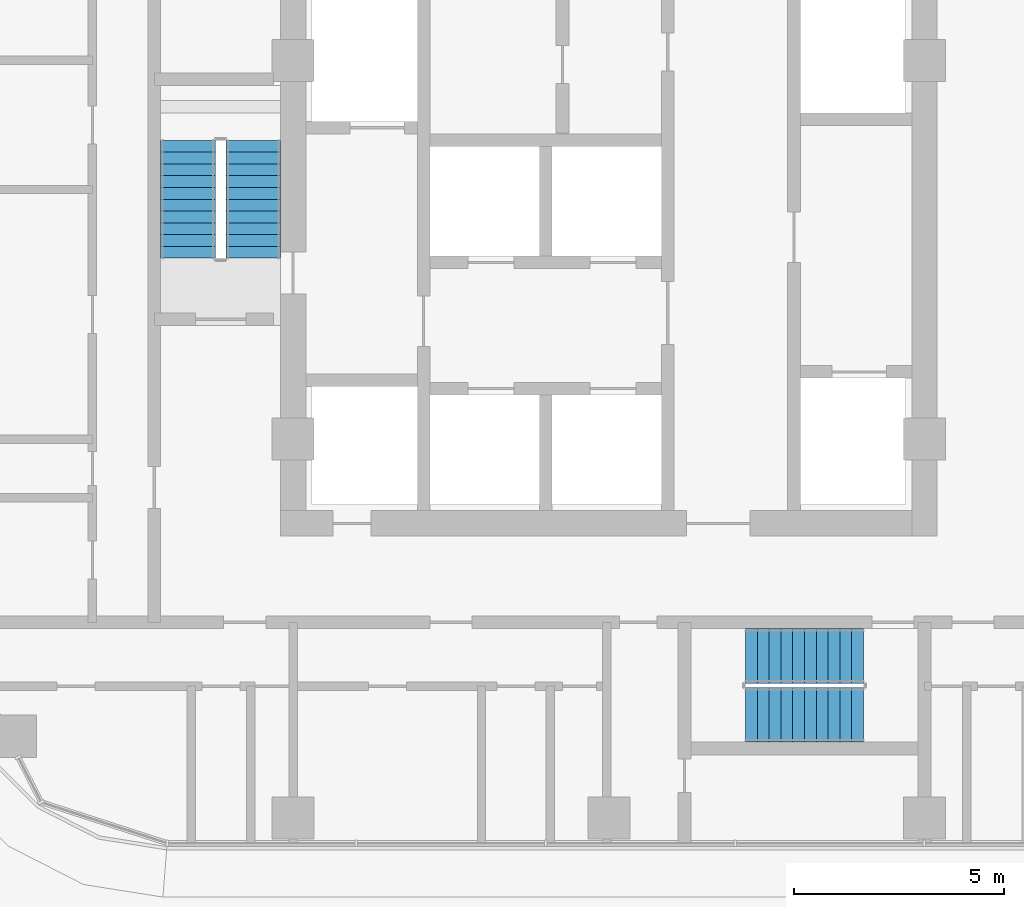
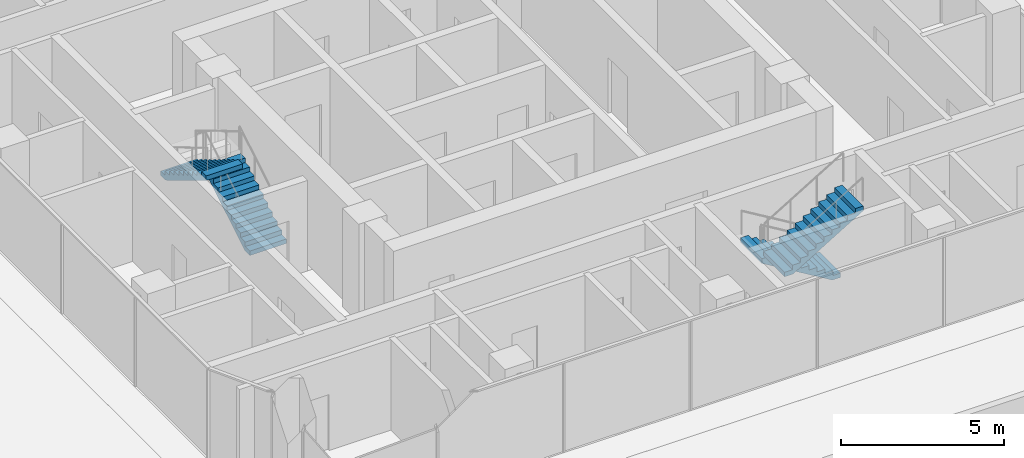
# One storey, part 35 of 51: 4 stair flights, 2 elements without a shape of their own.
"""IFC4 building model written with IfcOpenShell, lengths in metres."""

from ifc_helpers import new_model, si_unit, direction, frame, origin, place, context, subcontext, project, spatial, triangles, source, transform, mapped, material, type_object, element, aggregate, save


model = new_model("IFC4")

# Units and contexts
model_context = context("Model", 3, precision=1e-05, world=origin(), true_north=direction((0.0, 1.0)))
body_context = subcontext(model_context, "Body", "Model", "MODEL_VIEW")
ifc_project = project(units=[si_unit("LENGTHUNIT", "METRE"), si_unit("AREAUNIT", "SQUARE_METRE"), si_unit("VOLUMEUNIT", "CUBIC_METRE"), si_unit("PLANEANGLEUNIT", "RADIAN"), si_unit("MASSUNIT", "GRAM", prefix="KILO")], contexts=[model_context])

# Site, building, storey
site_placement = place(None, origin())
site = spatial("IfcSite", under=ifc_project, at=site_placement, CompositionType="ELEMENT")
building_placement = place(site_placement, origin())
building = spatial("IfcBuilding", under=site, at=building_placement, Name="Ogive Portal Towers", CompositionType="ELEMENT")
storey_placement = place(building_placement, frame((0.0, 0.0, 33.5)))
storey = spatial("IfcBuildingStorey", under=building, at=storey_placement, Name="L06", CompositionType="ELEMENT", Elevation=33.5)

# Stair, stair flights
ifc_material = material(Name="Concrete C40/50", Category="concrete")
stair_type = type_object("IfcStairType", Name="INT-STAIR", PredefinedType="HALF_TURN_STAIR", material=ifc_material)
stair_1_placement = place(storey_placement, origin())
stair_1 = element("IfcStair", 1, at=stair_1_placement, inside=storey, type_object=stair_type, Name="L06 Exit Stair ST-B1", PredefinedType="HALF_TURN_STAIR")
stair_flight_type = type_object("IfcStairFlightType", Name="INT-FLIGHT", PredefinedType="STRAIGHT", material=ifc_material)
shared_shape = source(origin(), body_context, "Body", "Tessellation", [
    triangles([(0.0, -0.650146484375, 0.0), (0.0, -0.376220703125, 0.0), (0.0, -0.192626953125, 0.0), (0.0, -0.081298828125, 0.0), (0.0, -0.024169921875, 0.0), (0.0, -0.003173828125, 0.0), (0.0, 0.0, 0.0), (0.0, 0.0029296875, 0.0), (0.0, 0.02392578125, 0.0), (0.0, 0.0810546875, 0.0), (0.0, 0.1923828125, 0.0), (0.0, 0.3759765625, 0.0), (0.0, 0.64990234375, 0.0), (0.0, -0.650146484375, 0.168212890625), (0.0, -0.376220703125, 0.168212890625), (0.0, -0.192626953125, 0.168212890625), (0.0, -0.081298828125, 0.168212890625), (0.0, -0.024169921875, 0.168212890625), (0.0, -0.003173828125, 0.168212890625), (0.0, 0.0, 0.168212890625), (0.0, 0.0029296875, 0.168212890625), (0.0, 0.02392578125, 0.168212890625), (0.0, 0.0810546875, 0.168212890625), (0.0, 0.1923828125, 0.168212890625), (0.0, 0.3759765625, 0.168212890625), (0.0, 0.64990234375, 0.168212890625), (0.280029296875, -0.650146484375, 0.168212890625), (0.280029296875, -0.376220703125, 0.168212890625), (0.280029296875, -0.192626953125, 0.168212890625), (0.280029296875, -0.081298828125, 0.168212890625), (0.280029296875, -0.024169921875, 0.168212890625), (0.280029296875, -0.003173828125, 0.168212890625), (0.280029296875, 0.0, 0.168212890625), (0.280029296875, 0.0029296875, 0.168212890625), (0.280029296875, 0.02392578125, 0.168212890625), (0.280029296875, 0.0810546875, 0.168212890625), (0.280029296875, 0.1923828125, 0.168212890625), (0.280029296875, 0.3759765625, 0.168212890625), (0.280029296875, 0.64990234375, 0.168212890625), (0.280029296875, -0.650146484375, 0.33642578125), (0.280029296875, -0.376220703125, 0.33642578125), (0.280029296875, -0.192626953125, 0.33642578125), (0.280029296875, -0.081298828125, 0.33642578125), (0.280029296875, -0.024169921875, 0.33642578125), (0.280029296875, -0.003173828125, 0.33642578125), (0.280029296875, 0.0, 0.33642578125), (0.280029296875, 0.0029296875, 0.33642578125), (0.280029296875, 0.02392578125, 0.33642578125), (0.280029296875, 0.0810546875, 0.33642578125), (0.280029296875, 0.1923828125, 0.33642578125), (0.280029296875, 0.3759765625, 0.33642578125), (0.280029296875, 0.64990234375, 0.33642578125), (0.56005859375, -0.650146484375, 0.33642578125), (0.56005859375, -0.376220703125, 0.33642578125), (0.56005859375, -0.192626953125, 0.33642578125), (0.56005859375, -0.081298828125, 0.33642578125), (0.56005859375, -0.024169921875, 0.33642578125), (0.56005859375, -0.003173828125, 0.33642578125), (0.56005859375, 0.0, 0.33642578125), (0.56005859375, 0.0029296875, 0.33642578125), (0.56005859375, 0.02392578125, 0.33642578125), (0.56005859375, 0.0810546875, 0.33642578125), (0.56005859375, 0.1923828125, 0.33642578125), (0.56005859375, 0.3759765625, 0.33642578125), (0.56005859375, 0.64990234375, 0.33642578125), (0.56005859375, -0.650146484375, 0.504638671875), (0.56005859375, -0.376220703125, 0.504638671875), (0.56005859375, -0.192626953125, 0.504638671875), (0.56005859375, -0.081298828125, 0.504638671875), (0.56005859375, -0.024169921875, 0.504638671875), (0.56005859375, -0.003173828125, 0.504638671875), (0.56005859375, 0.0, 0.504638671875), (0.56005859375, 0.0029296875, 0.504638671875), (0.56005859375, 0.02392578125, 0.504638671875), (0.56005859375, 0.0810546875, 0.504638671875), (0.56005859375, 0.1923828125, 0.504638671875), (0.56005859375, 0.3759765625, 0.504638671875), (0.56005859375, 0.64990234375, 0.504638671875), (0.840087890625, -0.650146484375, 0.504638671875), (0.840087890625, -0.376220703125, 0.504638671875), (0.840087890625, -0.192626953125, 0.504638671875), (0.840087890625, -0.081298828125, 0.504638671875), (0.840087890625, -0.024169921875, 0.504638671875), (0.840087890625, -0.003173828125, 0.504638671875), (0.840087890625, 0.0, 0.504638671875), (0.840087890625, 0.0029296875, 0.504638671875), (0.840087890625, 0.02392578125, 0.504638671875), (0.840087890625, 0.0810546875, 0.504638671875), (0.840087890625, 0.1923828125, 0.504638671875), (0.840087890625, 0.3759765625, 0.504638671875), (0.840087890625, 0.64990234375, 0.504638671875), (0.840087890625, -0.650146484375, 0.672607421875), (0.840087890625, -0.376220703125, 0.672607421875), (0.840087890625, -0.192626953125, 0.672607421875), (0.840087890625, -0.081298828125, 0.672607421875), (0.840087890625, -0.024169921875, 0.672607421875), (0.840087890625, -0.003173828125, 0.672607421875), (0.840087890625, 0.0, 0.672607421875), (0.840087890625, 0.0029296875, 0.672607421875), (0.840087890625, 0.02392578125, 0.672607421875), (0.840087890625, 0.0810546875, 0.672607421875), (0.840087890625, 0.1923828125, 0.672607421875), (0.840087890625, 0.3759765625, 0.672607421875), (0.840087890625, 0.64990234375, 0.672607421875), (1.1201171875, -0.650146484375, 0.672607421875), (1.1201171875, -0.376220703125, 0.672607421875), (1.1201171875, -0.192626953125, 0.672607421875), (1.1201171875, -0.081298828125, 0.672607421875), (1.1201171875, -0.024169921875, 0.672607421875), (1.1201171875, -0.003173828125, 0.672607421875), (1.1201171875, 0.0, 0.672607421875), (1.1201171875, 0.0029296875, 0.672607421875), (1.1201171875, 0.02392578125, 0.672607421875), (1.1201171875, 0.0810546875, 0.672607421875), (1.1201171875, 0.1923828125, 0.672607421875), (1.1201171875, 0.3759765625, 0.672607421875), (1.1201171875, 0.64990234375, 0.672607421875), (1.1201171875, -0.650146484375, 0.8408203125), (1.1201171875, -0.376220703125, 0.8408203125), (1.1201171875, -0.192626953125, 0.8408203125), (1.1201171875, -0.081298828125, 0.8408203125), (1.1201171875, -0.024169921875, 0.8408203125), (1.1201171875, -0.003173828125, 0.8408203125), (1.1201171875, 0.0, 0.8408203125), (1.1201171875, 0.0029296875, 0.8408203125), (1.1201171875, 0.02392578125, 0.8408203125), (1.1201171875, 0.0810546875, 0.8408203125), (1.1201171875, 0.1923828125, 0.8408203125), (1.1201171875, 0.3759765625, 0.8408203125), (1.1201171875, 0.64990234375, 0.8408203125), (1.39990234375, -0.650146484375, 0.8408203125), (1.39990234375, -0.376220703125, 0.8408203125), (1.39990234375, -0.192626953125, 0.8408203125), (1.39990234375, -0.081298828125, 0.8408203125), (1.39990234375, -0.024169921875, 0.8408203125), (1.39990234375, -0.003173828125, 0.8408203125), (1.39990234375, 0.0, 0.8408203125), (1.39990234375, 0.0029296875, 0.8408203125), (1.39990234375, 0.02392578125, 0.8408203125), (1.39990234375, 0.0810546875, 0.8408203125), (1.39990234375, 0.1923828125, 0.8408203125), (1.39990234375, 0.3759765625, 0.8408203125), (1.39990234375, 0.64990234375, 0.8408203125), (1.39990234375, -0.650146484375, 1.009033203125), (1.39990234375, -0.376220703125, 1.009033203125), (1.39990234375, -0.192626953125, 1.009033203125), (1.39990234375, -0.081298828125, 1.009033203125), (1.39990234375, -0.024169921875, 1.009033203125), (1.39990234375, -0.003173828125, 1.009033203125), (1.39990234375, 0.0, 1.009033203125), (1.39990234375, 0.0029296875, 1.009033203125), (1.39990234375, 0.02392578125, 1.009033203125), (1.39990234375, 0.0810546875, 1.009033203125), (1.39990234375, 0.1923828125, 1.009033203125), (1.39990234375, 0.3759765625, 1.009033203125), (1.39990234375, 0.64990234375, 1.009033203125), (1.679931640625, -0.650146484375, 1.009033203125), (1.679931640625, -0.376220703125, 1.009033203125), (1.679931640625, -0.192626953125, 1.009033203125), (1.679931640625, -0.081298828125, 1.009033203125), (1.679931640625, -0.024169921875, 1.009033203125), (1.679931640625, -0.003173828125, 1.009033203125), (1.679931640625, 0.0, 1.009033203125), (1.679931640625, 0.0029296875, 1.009033203125), (1.679931640625, 0.02392578125, 1.009033203125), (1.679931640625, 0.0810546875, 1.009033203125), (1.679931640625, 0.1923828125, 1.009033203125), (1.679931640625, 0.3759765625, 1.009033203125), (1.679931640625, 0.64990234375, 1.009033203125), (1.679931640625, -0.650146484375, 1.17724609375), (1.679931640625, -0.376220703125, 1.17724609375), (1.679931640625, -0.192626953125, 1.17724609375), (1.679931640625, -0.081298828125, 1.17724609375), (1.679931640625, -0.024169921875, 1.17724609375), (1.679931640625, -0.003173828125, 1.17724609375), (1.679931640625, 0.0, 1.17724609375), (1.679931640625, 0.0029296875, 1.17724609375), (1.679931640625, 0.02392578125, 1.17724609375), (1.679931640625, 0.0810546875, 1.17724609375), (1.679931640625, 0.1923828125, 1.17724609375), (1.679931640625, 0.3759765625, 1.17724609375), (1.679931640625, 0.64990234375, 1.17724609375), (1.9599609375, -0.650146484375, 1.17724609375), (1.9599609375, -0.376220703125, 1.17724609375), (1.9599609375, -0.192626953125, 1.17724609375), (1.9599609375, -0.081298828125, 1.17724609375), (1.9599609375, -0.024169921875, 1.17724609375), (1.9599609375, -0.003173828125, 1.17724609375), (1.9599609375, 0.0, 1.17724609375), (1.9599609375, 0.0029296875, 1.17724609375), (1.9599609375, 0.02392578125, 1.17724609375), (1.9599609375, 0.0810546875, 1.17724609375), (1.9599609375, 0.1923828125, 1.17724609375), (1.9599609375, 0.3759765625, 1.17724609375), (1.9599609375, 0.64990234375, 1.17724609375), (1.9599609375, -0.650146484375, 1.345458984375), (1.9599609375, -0.376220703125, 1.345458984375), (1.9599609375, -0.192626953125, 1.345458984375), (1.9599609375, -0.081298828125, 1.345458984375), (1.9599609375, -0.024169921875, 1.345458984375), (1.9599609375, -0.003173828125, 1.345458984375), (1.9599609375, 0.0, 1.345458984375), (1.9599609375, 0.0029296875, 1.345458984375), (1.9599609375, 0.02392578125, 1.345458984375), (1.9599609375, 0.0810546875, 1.345458984375), (1.9599609375, 0.1923828125, 1.345458984375), (1.9599609375, 0.3759765625, 1.345458984375), (1.9599609375, 0.64990234375, 1.345458984375), (2.239990234375, -0.650146484375, 1.345458984375), (2.239990234375, -0.376220703125, 1.345458984375), (2.239990234375, -0.192626953125, 1.345458984375), (2.239990234375, -0.081298828125, 1.345458984375), (2.239990234375, -0.024169921875, 1.345458984375), (2.239990234375, -0.003173828125, 1.345458984375), (2.239990234375, 0.0, 1.345458984375), (2.239990234375, 0.0029296875, 1.345458984375), (2.239990234375, 0.02392578125, 1.345458984375), (2.239990234375, 0.0810546875, 1.345458984375), (2.239990234375, 0.1923828125, 1.345458984375), (2.239990234375, 0.3759765625, 1.345458984375), (2.239990234375, 0.64990234375, 1.345458984375), (2.239990234375, -0.650146484375, 1.513671875), (2.239990234375, -0.376220703125, 1.513671875), (2.239990234375, -0.192626953125, 1.513671875), (2.239990234375, -0.081298828125, 1.513671875), (2.239990234375, -0.024169921875, 1.513671875), (2.239990234375, -0.003173828125, 1.513671875), (2.239990234375, 0.0, 1.513671875), (2.239990234375, 0.0029296875, 1.513671875), (2.239990234375, 0.02392578125, 1.513671875), (2.239990234375, 0.0810546875, 1.513671875), (2.239990234375, 0.1923828125, 1.513671875), (2.239990234375, 0.3759765625, 1.513671875), (2.239990234375, 0.64990234375, 1.513671875), (2.52001953125, -0.650146484375, 1.513671875), (2.52001953125, -0.376220703125, 1.513671875), (2.52001953125, -0.192626953125, 1.513671875), (2.52001953125, -0.081298828125, 1.513671875), (2.52001953125, -0.024169921875, 1.513671875), (2.52001953125, -0.003173828125, 1.513671875), (2.52001953125, 0.0, 1.513671875), (2.52001953125, 0.0029296875, 1.513671875), (2.52001953125, 0.02392578125, 1.513671875), (2.52001953125, 0.0810546875, 1.513671875), (2.52001953125, 0.1923828125, 1.513671875), (2.52001953125, 0.3759765625, 1.513671875), (2.52001953125, 0.64990234375, 1.513671875), (2.52001953125, -0.650146484375, 1.681884765625), (2.52001953125, -0.376220703125, 1.681884765625), (2.52001953125, -0.192626953125, 1.681884765625), (2.52001953125, -0.081298828125, 1.681884765625), (2.52001953125, -0.024169921875, 1.681884765625), (2.52001953125, -0.003173828125, 1.681884765625), (2.52001953125, 0.0, 1.681884765625), (2.52001953125, 0.0029296875, 1.681884765625), (2.52001953125, 0.02392578125, 1.681884765625), (2.52001953125, 0.0810546875, 1.681884765625), (2.52001953125, 0.1923828125, 1.681884765625), (2.52001953125, 0.3759765625, 1.681884765625), (2.52001953125, 0.64990234375, 1.681884765625), (2.800048828125, -0.650146484375, 1.681884765625), (2.800048828125, -0.376220703125, 1.681884765625), (2.800048828125, -0.192626953125, 1.681884765625), (2.800048828125, -0.081298828125, 1.681884765625), (2.800048828125, -0.024169921875, 1.681884765625), (2.800048828125, -0.003173828125, 1.681884765625), (2.800048828125, 0.0, 1.681884765625), (2.800048828125, 0.0029296875, 1.681884765625), (2.800048828125, 0.02392578125, 1.681884765625), (2.800048828125, 0.0810546875, 1.681884765625), (2.800048828125, 0.1923828125, 1.681884765625), (2.800048828125, 0.3759765625, 1.681884765625), (2.800048828125, 0.64990234375, 1.681884765625), (2.800048828125, -0.650146484375, 1.5068359375), (2.800048828125, -0.376220703125, 1.5068359375), (2.800048828125, -0.192626953125, 1.5068359375), (2.800048828125, -0.081298828125, 1.5068359375), (2.800048828125, -0.024169921875, 1.5068359375), (2.800048828125, -0.003173828125, 1.5068359375), (2.800048828125, 0.0, 1.5068359375), (2.800048828125, 0.0029296875, 1.5068359375), (2.800048828125, 0.02392578125, 1.5068359375), (2.800048828125, 0.0810546875, 1.5068359375), (2.800048828125, 0.1923828125, 1.5068359375), (2.800048828125, 0.3759765625, 1.5068359375), (2.800048828125, 0.64990234375, 1.5068359375), (0.291015625, -0.650146484375, 0.0), (0.291015625, -0.376220703125, 0.0), (0.291015625, -0.192626953125, 0.0), (0.291015625, -0.081298828125, 0.0), (0.291015625, -0.024169921875, 0.0), (0.291015625, -0.003173828125, 0.0), (0.291015625, 0.0, 0.0), (0.291015625, 0.0029296875, 0.0), (0.291015625, 0.02392578125, 0.0), (0.291015625, 0.0810546875, 0.0), (0.291015625, 0.1923828125, 0.0), (0.291015625, 0.3759765625, 0.0), (0.291015625, 0.64990234375, 0.0)], [[1, 14, 15], [1, 15, 2], [2, 15, 16], [2, 16, 3], [3, 16, 17], [3, 17, 4], [4, 17, 18], [4, 18, 5], [5, 18, 19], [5, 19, 6], [6, 19, 20], [6, 20, 7], [7, 20, 21], [7, 21, 8], [8, 21, 22], [8, 22, 9], [9, 22, 23], [9, 23, 10], [10, 23, 24], [10, 24, 11], [11, 24, 25], [11, 25, 12], [12, 25, 26], [12, 26, 13], [14, 27, 28], [14, 28, 15], [15, 28, 29], [15, 29, 16], [16, 29, 30], [16, 30, 17], [17, 30, 31], [17, 31, 18], [18, 31, 32], [18, 32, 19], [19, 32, 33], [19, 33, 20], [20, 33, 34], [20, 34, 21], [21, 34, 35], [21, 35, 22], [22, 35, 36], [22, 36, 23], [23, 36, 37], [23, 37, 24], [24, 37, 38], [24, 38, 25], [25, 38, 39], [25, 39, 26], [27, 40, 41], [27, 41, 28], [28, 41, 42], [28, 42, 29], [29, 42, 43], [29, 43, 30], [30, 43, 44], [30, 44, 31], [31, 44, 45], [31, 45, 32], [32, 45, 46], [32, 46, 33], [33, 46, 47], [33, 47, 34], [34, 47, 48], [34, 48, 35], [35, 48, 49], [35, 49, 36], [36, 49, 50], [36, 50, 37], [37, 50, 51], [37, 51, 38], [38, 51, 52], [38, 52, 39], [40, 53, 54], [40, 54, 41], [41, 54, 55], [41, 55, 42], [42, 55, 56], [42, 56, 43], [43, 56, 57], [43, 57, 44], [44, 57, 58], [44, 58, 45], [45, 58, 59], [45, 59, 46], [46, 59, 60], [46, 60, 47], [47, 60, 61], [47, 61, 48], [48, 61, 62], [48, 62, 49], [49, 62, 63], [49, 63, 50], [50, 63, 64], [50, 64, 51], [51, 64, 65], [51, 65, 52], [53, 66, 67], [53, 67, 54], [54, 67, 68], [54, 68, 55], [55, 68, 69], [55, 69, 56], [56, 69, 70], [56, 70, 57], [57, 70, 71], [57, 71, 58], [58, 71, 72], [58, 72, 59], [59, 72, 73], [59, 73, 60], [60, 73, 74], [60, 74, 61], [61, 74, 75], [61, 75, 62], [62, 75, 76], [62, 76, 63], [63, 76, 77], [63, 77, 64], [64, 77, 78], [64, 78, 65], [66, 79, 80], [66, 80, 67], [67, 80, 81], [67, 81, 68], [68, 81, 82], [68, 82, 69], [69, 82, 83], [69, 83, 70], [70, 83, 84], [70, 84, 71], [71, 84, 85], [71, 85, 72], [72, 85, 86], [72, 86, 73], [73, 86, 87], [73, 87, 74], [74, 87, 88], [74, 88, 75], [75, 88, 89], [75, 89, 76], [76, 89, 90], [76, 90, 77], [77, 90, 91], [77, 91, 78], [79, 92, 93], [79, 93, 80], [80, 93, 94], [80, 94, 81], [81, 94, 95], [81, 95, 82], [82, 95, 96], [82, 96, 83], [83, 96, 97], [83, 97, 84], [84, 97, 98], [84, 98, 85], [85, 98, 99], [85, 99, 86], [86, 99, 100], [86, 100, 87], [87, 100, 101], [87, 101, 88], [88, 101, 102], [88, 102, 89], [89, 102, 103], [89, 103, 90], [90, 103, 104], [90, 104, 91], [92, 105, 106], [92, 106, 93], [93, 106, 107], [93, 107, 94], [94, 107, 108], [94, 108, 95], [95, 108, 109], [95, 109, 96], [96, 109, 110], [96, 110, 97], [97, 110, 111], [97, 111, 98], [98, 111, 112], [98, 112, 99], [99, 112, 113], [99, 113, 100], [100, 113, 114], [100, 114, 101], [101, 114, 115], [101, 115, 102], [102, 115, 116], [102, 116, 103], [103, 116, 117], [103, 117, 104], [105, 118, 119], [105, 119, 106], [106, 119, 120], [106, 120, 107], [107, 120, 121], [107, 121, 108], [108, 121, 122], [108, 122, 109], [109, 122, 123], [109, 123, 110], [110, 123, 124], [110, 124, 111], [111, 124, 125], [111, 125, 112], [112, 125, 126], [112, 126, 113], [113, 126, 127], [113, 127, 114], [114, 127, 128], [114, 128, 115], [115, 128, 129], [115, 129, 116], [116, 129, 130], [116, 130, 117], [118, 131, 132], [118, 132, 119], [119, 132, 133], [119, 133, 120], [120, 133, 134], [120, 134, 121], [121, 134, 135], [121, 135, 122], [122, 135, 136], [122, 136, 123], [123, 136, 137], [123, 137, 124], [124, 137, 138], [124, 138, 125], [125, 138, 139], [125, 139, 126], [126, 139, 140], [126, 140, 127], [127, 140, 141], [127, 141, 128], [128, 141, 142], [128, 142, 129], [129, 142, 143], [129, 143, 130], [131, 144, 145], [131, 145, 132], [132, 145, 146], [132, 146, 133], [133, 146, 147], [133, 147, 134], [134, 147, 148], [134, 148, 135], [135, 148, 149], [135, 149, 136], [136, 149, 150], [136, 150, 137], [137, 150, 151], [137, 151, 138], [138, 151, 152], [138, 152, 139], [139, 152, 153], [139, 153, 140], [140, 153, 154], [140, 154, 141], [141, 154, 155], [141, 155, 142], [142, 155, 156], [142, 156, 143], [144, 157, 158], [144, 158, 145], [145, 158, 159], [145, 159, 146], [146, 159, 160], [146, 160, 147], [147, 160, 161], [147, 161, 148], [148, 161, 162], [148, 162, 149], [149, 162, 163], [149, 163, 150], [150, 163, 164], [150, 164, 151], [151, 164, 165], [151, 165, 152], [152, 165, 166], [152, 166, 153], [153, 166, 167], [153, 167, 154], [154, 167, 168], [154, 168, 155], [155, 168, 169], [155, 169, 156], [157, 170, 171], [157, 171, 158], [158, 171, 172], [158, 172, 159], [159, 172, 173], [159, 173, 160], [160, 173, 174], [160, 174, 161], [161, 174, 175], [161, 175, 162], [162, 175, 176], [162, 176, 163], [163, 176, 177], [163, 177, 164], [164, 177, 178], [164, 178, 165], [165, 178, 179], [165, 179, 166], [166, 179, 180], [166, 180, 167], [167, 180, 181], [167, 181, 168], [168, 181, 182], [168, 182, 169], [170, 183, 184], [170, 184, 171], [171, 184, 185], [171, 185, 172], [172, 185, 186], [172, 186, 173], [173, 186, 187], [173, 187, 174], [174, 187, 188], [174, 188, 175], [175, 188, 189], [175, 189, 176], [176, 189, 190], [176, 190, 177], [177, 190, 191], [177, 191, 178], [178, 191, 192], [178, 192, 179], [179, 192, 193], [179, 193, 180], [180, 193, 194], [180, 194, 181], [181, 194, 195], [181, 195, 182], [183, 196, 197], [183, 197, 184], [184, 197, 198], [184, 198, 185], [185, 198, 199], [185, 199, 186], [186, 199, 200], [186, 200, 187], [187, 200, 201], [187, 201, 188], [188, 201, 202], [188, 202, 189], [189, 202, 203], [189, 203, 190], [190, 203, 204], [190, 204, 191], [191, 204, 205], [191, 205, 192], [192, 205, 206], [192, 206, 193], [193, 206, 207], [193, 207, 194], [194, 207, 208], [194, 208, 195], [196, 209, 210], [196, 210, 197], [197, 210, 211], [197, 211, 198], [198, 211, 212], [198, 212, 199], [199, 212, 213], [199, 213, 200], [200, 213, 214], [200, 214, 201], [201, 214, 215], [201, 215, 202], [202, 215, 216], [202, 216, 203], [203, 216, 217], [203, 217, 204], [204, 217, 218], [204, 218, 205], [205, 218, 219], [205, 219, 206], [206, 219, 220], [206, 220, 207], [207, 220, 221], [207, 221, 208], [209, 222, 223], [209, 223, 210], [210, 223, 224], [210, 224, 211], [211, 224, 225], [211, 225, 212], [212, 225, 226], [212, 226, 213], [213, 226, 227], [213, 227, 214], [214, 227, 228], [214, 228, 215], [215, 228, 229], [215, 229, 216], [216, 229, 230], [216, 230, 217], [217, 230, 231], [217, 231, 218], [218, 231, 232], [218, 232, 219], [219, 232, 233], [219, 233, 220], [220, 233, 234], [220, 234, 221], [222, 235, 236], [222, 236, 223], [223, 236, 237], [223, 237, 224], [224, 237, 238], [224, 238, 225], [225, 238, 239], [225, 239, 226], [226, 239, 240], [226, 240, 227], [227, 240, 241], [227, 241, 228], [228, 241, 242], [228, 242, 229], [229, 242, 243], [229, 243, 230], [230, 243, 244], [230, 244, 231], [231, 244, 245], [231, 245, 232], [232, 245, 246], [232, 246, 233], [233, 246, 247], [233, 247, 234], [235, 248, 249], [235, 249, 236], [236, 249, 250], [236, 250, 237], [237, 250, 251], [237, 251, 238], [238, 251, 252], [238, 252, 239], [239, 252, 253], [239, 253, 240], [240, 253, 254], [240, 254, 241], [241, 254, 255], [241, 255, 242], [242, 255, 256], [242, 256, 243], [243, 256, 257], [243, 257, 244], [244, 257, 258], [244, 258, 245], [245, 258, 259], [245, 259, 246], [246, 259, 260], [246, 260, 247], [248, 261, 262], [248, 262, 249], [249, 262, 263], [249, 263, 250], [250, 263, 264], [250, 264, 251], [251, 264, 265], [251, 265, 252], [252, 265, 266], [252, 266, 253], [253, 266, 267], [253, 267, 254], [254, 267, 268], [254, 268, 255], [255, 268, 269], [255, 269, 256], [256, 269, 270], [256, 270, 257], [257, 270, 271], [257, 271, 258], [258, 271, 272], [258, 272, 259], [259, 272, 273], [259, 273, 260], [261, 274, 275], [261, 275, 262], [262, 275, 276], [262, 276, 263], [263, 276, 277], [263, 277, 264], [264, 277, 278], [264, 278, 265], [265, 278, 279], [265, 279, 266], [266, 279, 280], [266, 280, 267], [267, 280, 281], [267, 281, 268], [268, 281, 282], [268, 282, 269], [269, 282, 283], [269, 283, 270], [270, 283, 284], [270, 284, 271], [271, 284, 285], [271, 285, 272], [272, 285, 286], [272, 286, 273], [274, 287, 288], [274, 288, 275], [275, 288, 289], [275, 289, 276], [276, 289, 290], [276, 290, 277], [277, 290, 291], [277, 291, 278], [278, 291, 292], [278, 292, 279], [279, 292, 293], [279, 293, 280], [280, 293, 294], [280, 294, 281], [281, 294, 295], [281, 295, 282], [282, 295, 296], [282, 296, 283], [283, 296, 297], [283, 297, 284], [284, 297, 298], [284, 298, 285], [285, 298, 299], [285, 299, 286], [287, 1, 2], [287, 2, 288], [288, 2, 3], [288, 3, 289], [289, 3, 4], [289, 4, 290], [290, 4, 5], [290, 5, 291], [291, 5, 6], [291, 6, 292], [292, 6, 7], [292, 7, 293], [293, 7, 8], [293, 8, 294], [294, 8, 9], [294, 9, 295], [295, 9, 10], [295, 10, 296], [296, 10, 11], [296, 11, 297], [297, 11, 12], [297, 12, 298], [298, 12, 13], [298, 13, 299], [1, 287, 274], [13, 286, 299], [274, 261, 248], [286, 260, 273], [274, 248, 235], [286, 247, 260], [274, 235, 222], [286, 234, 247], [274, 222, 209], [286, 221, 234], [209, 196, 183], [221, 195, 208], [274, 209, 183], [286, 195, 221], [183, 170, 157], [195, 169, 182], [274, 183, 157], [286, 169, 195], [157, 144, 131], [169, 143, 156], [274, 157, 131], [286, 143, 169], [131, 118, 105], [143, 117, 130], [274, 131, 105], [286, 117, 143], [1, 274, 105], [13, 117, 286], [105, 92, 79], [117, 91, 104], [79, 66, 53], [91, 65, 78], [105, 79, 53], [117, 65, 91], [53, 40, 27], [65, 39, 52], [105, 53, 27], [117, 39, 65], [1, 105, 27], [13, 39, 117], [27, 14, 1], [39, 13, 26]], closed=True),
])
stair_flight_1_placement = place(storey_placement, frame((128.050048828125, 30.800048828125, 0.0), z_axis=(0.0, 0.0, 1.0), x_axis=(0.0, 1.0, 0.0)))
stair_flight_1 = element("IfcStairFlight", 2, at=stair_flight_1_placement, type_object=stair_flight_type, Name="ST-B1 flight 1", NumberOfRisers=11, NumberOfTreads=10, PredefinedType="STRAIGHT", RiserHeight=0.168181818, TreadLength=0.28, context=body_context, shape_type="MappedRepresentation", body=[
    mapped(shared_shape, transform((0.0, 0.0, 0.0), scale=1.0)),
])
stair_flight_2_placement = place(storey_placement, frame((126.5, 33.60009765625, 1.85009765625), z_axis=(0.0, 0.0, 1.0), x_axis=(0.0, -1.0, 0.0)))
stair_flight_2 = element("IfcStairFlight", 3, at=stair_flight_2_placement, type_object=stair_flight_type, Name="ST-B1 flight 2", NumberOfRisers=11, NumberOfTreads=10, PredefinedType="STRAIGHT", RiserHeight=0.168181818, TreadLength=0.28, context=body_context, shape_type="MappedRepresentation", body=[
    mapped(shared_shape, transform((0.0, 0.0, 0.0), scale=1.0)),
])
aggregate(stair_1, [stair_flight_1, stair_flight_2])

stair_2_placement = place(storey_placement, origin())
stair_2 = element("IfcStair", 4, at=stair_2_placement, inside=storey, type_object=stair_type, Name="L06 Exit Stair ST-B2", PredefinedType="HALF_TURN_STAIR")
stair_flight_3_placement = place(storey_placement, frame((142.550048828125, 21.35009765625, 0.0), z_axis=(0.0, 0.0, 1.0), x_axis=(-1.0, 0.0, 0.0)))
stair_flight_3 = element("IfcStairFlight", 5, at=stair_flight_3_placement, type_object=stair_flight_type, Name="ST-B2 flight 1", NumberOfRisers=11, NumberOfTreads=10, PredefinedType="STRAIGHT", RiserHeight=0.168181818, TreadLength=0.28, context=body_context, shape_type="MappedRepresentation", body=[
    mapped(shared_shape, transform((0.0, 0.0, 0.0), scale=1.0)),
])
stair_flight_4_placement = place(storey_placement, frame((139.75, 19.949951171875, 1.85009765625), z_axis=(0.0, 0.0, 1.0), x_axis=(1.0, 0.0, 0.0)))
stair_flight_4 = element("IfcStairFlight", 6, at=stair_flight_4_placement, type_object=stair_flight_type, Name="ST-B2 flight 2", NumberOfRisers=11, NumberOfTreads=10, PredefinedType="STRAIGHT", RiserHeight=0.168181818, TreadLength=0.28, context=body_context, shape_type="MappedRepresentation", body=[
    mapped(shared_shape, transform((0.0, 0.0, 0.0), scale=1.0)),
])
aggregate(stair_2, [stair_flight_3, stair_flight_4])

save(model, "model.ifc")
